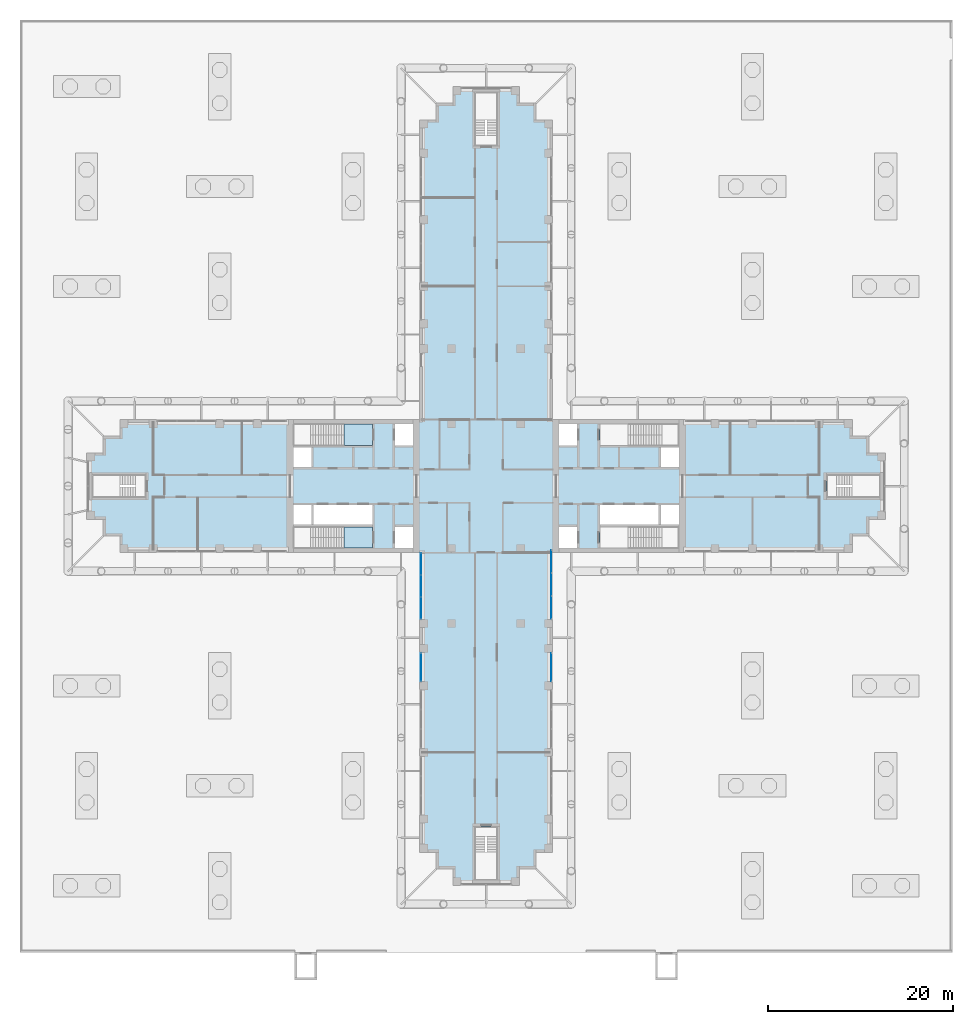
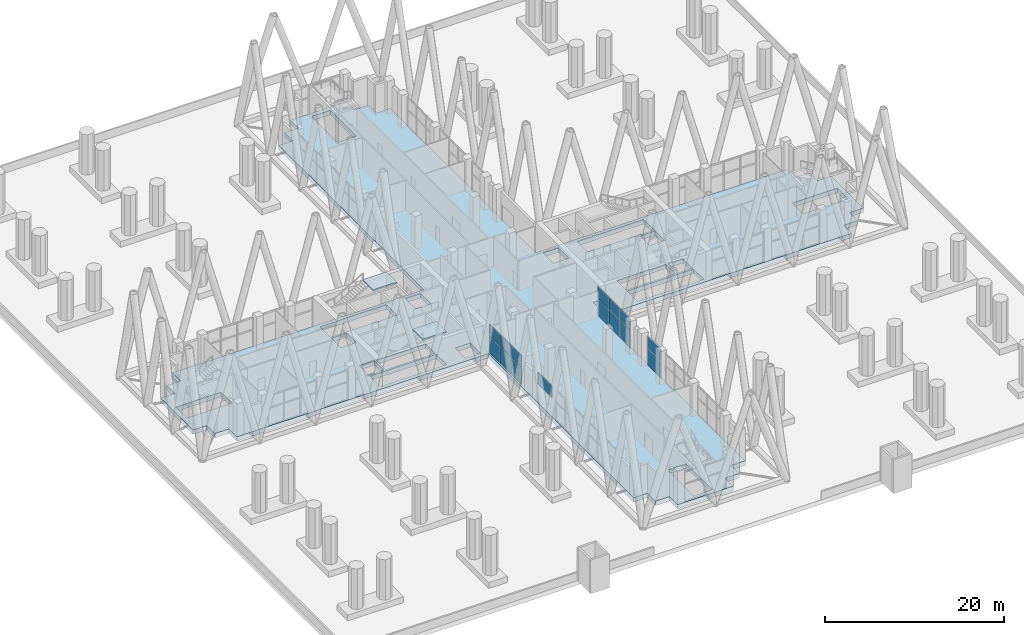
# One storey, part 14 of 31: 15 plates, 3 slabs, 6 elements without a shape of their own.
"""IFC4 building model written with IfcOpenShell, lengths in metres."""

from ifc_helpers import new_model, si_unit, direction, frame, origin, origin_2d, place, context, subcontext, project, spatial, polyline, rectangle, outline, extrude, material, layer, layer_set, type_object, element, aggregate, save


model = new_model("IFC4")

# Units and contexts
model_context = context("Model", 3, precision=1e-05, world=origin(), true_north=direction((0.0, 1.0)))
body_context = subcontext(model_context, "Body", "Model", "MODEL_VIEW")
ifc_project = project(units=[si_unit("LENGTHUNIT", "METRE"), si_unit("AREAUNIT", "SQUARE_METRE"), si_unit("VOLUMEUNIT", "CUBIC_METRE"), si_unit("PLANEANGLEUNIT", "RADIAN"), si_unit("MASSUNIT", "GRAM", prefix="KILO")], contexts=[model_context])

# Site, building, storey
site_placement = place(None, origin())
site = spatial("IfcSite", under=ifc_project, at=site_placement, CompositionType="ELEMENT")
building_placement = place(site_placement, origin())
building = spatial("IfcBuilding", under=site, at=building_placement, Name="Fustian Cross Tower", CompositionType="ELEMENT")
storey_placement = place(building_placement, frame((0.0, 0.0, 7.199951171875)))
storey = spatial("IfcBuildingStorey", under=building, at=storey_placement, Name="L01", CompositionType="ELEMENT", Elevation=7.199951171875)

# Curtain wall, plates
ifc_material_1 = material(Name="Glass", Category="glass")
curtain_wall_type = type_object("IfcCurtainWallType", Name="CW4 CURTAIN WALL", PredefinedType="NOTDEFINED", material=ifc_material_1)
curtain_wall_1_placement = place(storey_placement, origin())
curtain_wall_1 = element("IfcCurtainWall", 1, at=curtain_wall_1_placement, inside=storey, type_object=curtain_wall_type, Name="Curtain wall CW4", PredefinedType="NOTDEFINED")
ifc_material_2 = material(Name="Glass", Category="glass")
ifc_layer_1 = layer(ifc_material_2, 0.028076171875)
ifc_layer_set_1 = layer_set([ifc_layer_1], Name="Glass")
plate_type = type_object("IfcPlateType", Name="CW4 PANEL IGU28", PredefinedType="CURTAIN_PANEL", material=ifc_layer_set_1)
plate_1_placement = place(storey_placement, frame((-7.050048828125, -8.4150390625, 0.06005859375), z_axis=(0.0, 0.0, 1.0), x_axis=(0.0, -1.0, 0.0)))
plate_1 = element("IfcPlate", 2, at=plate_1_placement, type_object=plate_type, Name="CW4 panel 1.1", PredefinedType="CURTAIN_PANEL", context=body_context, shape_type="SweptSolid", body=[
    extrude(rectangle(XDim=2.31005859375, YDim=0.028076171875, at=origin_2d()), origin(), (0.0, 0.0, 1.0), 2.31005859375),
])
plate_2_placement = place(storey_placement, frame((-7.050048828125, -8.4150390625, 2.43017578125), z_axis=(0.0, 0.0, 1.0), x_axis=(0.0, -1.0, 0.0)))
plate_2 = element("IfcPlate", 3, at=plate_2_placement, type_object=plate_type, Name="CW4 panel 1.2", PredefinedType="CURTAIN_PANEL", context=body_context, shape_type="SweptSolid", body=[
    extrude(rectangle(XDim=2.31005859375, YDim=0.028076171875, at=origin_2d()), origin(), (0.0, 0.0, 1.0), 1.5849609375),
])
plate_3_placement = place(storey_placement, frame((-7.050048828125, -10.800048828125, 0.06005859375), z_axis=(0.0, 0.0, 1.0), x_axis=(0.0, -1.0, 0.0)))
plate_3 = element("IfcPlate", 4, at=plate_3_placement, type_object=plate_type, Name="CW4 panel 2.1", PredefinedType="CURTAIN_PANEL", context=body_context, shape_type="SweptSolid", body=[
    extrude(rectangle(XDim=2.340087890625, YDim=0.028076171875, at=origin_2d()), origin(), (0.0, 0.0, 1.0), 2.31005859375),
])
plate_4_placement = place(storey_placement, frame((-7.050048828125, -10.800048828125, 2.43017578125), z_axis=(0.0, 0.0, 1.0), x_axis=(0.0, -1.0, 0.0)))
plate_4 = element("IfcPlate", 5, at=plate_4_placement, type_object=plate_type, Name="CW4 panel 2.2", PredefinedType="CURTAIN_PANEL", context=body_context, shape_type="SweptSolid", body=[
    extrude(rectangle(XDim=2.340087890625, YDim=0.028076171875, at=origin_2d()), origin(), (0.0, 0.0, 1.0), 1.5849609375),
])
plate_5_placement = place(storey_placement, frame((-7.050048828125, -13.18505859375, 0.06005859375), z_axis=(0.0, 0.0, 1.0), x_axis=(0.0, -1.0, 0.0)))
plate_5 = element("IfcPlate", 6, at=plate_5_placement, type_object=plate_type, Name="CW4 panel 3.1", PredefinedType="CURTAIN_PANEL", context=body_context, shape_type="SweptSolid", body=[
    extrude(rectangle(XDim=2.31005859375, YDim=0.028076171875, at=origin_2d()), origin(), (0.0, 0.0, 1.0), 2.31005859375),
])
plate_6_placement = place(storey_placement, frame((-7.050048828125, -13.18505859375, 2.43017578125), z_axis=(0.0, 0.0, 1.0), x_axis=(0.0, -1.0, 0.0)))
plate_6 = element("IfcPlate", 7, at=plate_6_placement, type_object=plate_type, Name="CW4 panel 3.2", PredefinedType="CURTAIN_PANEL", context=body_context, shape_type="SweptSolid", body=[
    extrude(rectangle(XDim=2.31005859375, YDim=0.028076171875, at=origin_2d()), origin(), (0.0, 0.0, 1.0), 1.5849609375),
])
aggregate(curtain_wall_1, [plate_1, plate_2, plate_3, plate_4, plate_5, plate_6])

# Curtain wall, plate
curtain_wall_2_placement = place(storey_placement, origin())
curtain_wall_2 = element("IfcCurtainWall", 8, at=curtain_wall_2_placement, inside=storey, type_object=curtain_wall_type, Name="Curtain wall CW4", PredefinedType="NOTDEFINED")
plate_7_placement = place(storey_placement, frame((-7.050048828125, -19.574951171875, 2.43017578125), z_axis=(0.0, 0.0, 1.0), x_axis=(0.0, -1.0, 0.0)))
plate_7 = element("IfcPlate", 9, at=plate_7_placement, type_object=plate_type, Name="CW4 panel 1.2", PredefinedType="CURTAIN_PANEL", context=body_context, shape_type="SweptSolid", body=[
    extrude(rectangle(XDim=3.030029296875, YDim=0.028076171875, at=origin_2d()), origin(), (0.0, 0.0, 1.0), 1.5849609375),
])
aggregate(curtain_wall_2, [plate_7])

# Curtain wall, plates
curtain_wall_3_placement = place(storey_placement, origin())
curtain_wall_3 = element("IfcCurtainWall", 10, at=curtain_wall_3_placement, inside=storey, type_object=curtain_wall_type, Name="Curtain wall CW4", PredefinedType="NOTDEFINED")
plate_8_placement = place(storey_placement, frame((7.050048828125, -19.574951171875, 0.06005859375), z_axis=(0.0, 0.0, 1.0), x_axis=(0.0, 1.0, 0.0)))
plate_8 = element("IfcPlate", 11, at=plate_8_placement, type_object=plate_type, Name="CW4 panel 1.1", PredefinedType="CURTAIN_PANEL", context=body_context, shape_type="SweptSolid", body=[
    extrude(rectangle(XDim=3.030029296875, YDim=0.028076171875, at=origin_2d()), origin(), (0.0, 0.0, 1.0), 2.31005859375),
])
plate_9_placement = place(storey_placement, frame((7.050048828125, -19.574951171875, 2.43017578125), z_axis=(0.0, 0.0, 1.0), x_axis=(0.0, 1.0, 0.0)))
plate_9 = element("IfcPlate", 12, at=plate_9_placement, type_object=plate_type, Name="CW4 panel 1.2", PredefinedType="CURTAIN_PANEL", context=body_context, shape_type="SweptSolid", body=[
    extrude(rectangle(XDim=3.030029296875, YDim=0.028076171875, at=origin_2d()), origin(), (0.0, 0.0, 1.0), 1.5849609375),
])
aggregate(curtain_wall_3, [plate_8, plate_9])

curtain_wall_4_placement = place(storey_placement, origin())
curtain_wall_4 = element("IfcCurtainWall", 13, at=curtain_wall_4_placement, inside=storey, type_object=curtain_wall_type, Name="Curtain wall CW4", PredefinedType="NOTDEFINED")
plate_10_placement = place(storey_placement, frame((7.050048828125, -13.135009765625, 0.06005859375), z_axis=(0.0, 0.0, 1.0), x_axis=(0.0, 1.0, 0.0)))
plate_10 = element("IfcPlate", 14, at=plate_10_placement, type_object=plate_type, Name="CW4 panel 1.1", PredefinedType="CURTAIN_PANEL", context=body_context, shape_type="SweptSolid", body=[
    extrude(rectangle(XDim=2.409912109375, YDim=0.028076171875, at=origin_2d()), origin(), (0.0, 0.0, 1.0), 2.31005859375),
])
plate_11_placement = place(storey_placement, frame((7.050048828125, -13.135009765625, 2.43017578125), z_axis=(0.0, 0.0, 1.0), x_axis=(0.0, 1.0, 0.0)))
plate_11 = element("IfcPlate", 15, at=plate_11_placement, type_object=plate_type, Name="CW4 panel 1.2", PredefinedType="CURTAIN_PANEL", context=body_context, shape_type="SweptSolid", body=[
    extrude(rectangle(XDim=2.409912109375, YDim=0.028076171875, at=origin_2d()), origin(), (0.0, 0.0, 1.0), 1.5849609375),
])
plate_12_placement = place(storey_placement, frame((7.050048828125, -10.64990234375, 0.06005859375), z_axis=(0.0, 0.0, 1.0), x_axis=(0.0, 1.0, 0.0)))
plate_12 = element("IfcPlate", 16, at=plate_12_placement, type_object=plate_type, Name="CW4 panel 2.1", PredefinedType="CURTAIN_PANEL", context=body_context, shape_type="SweptSolid", body=[
    extrude(rectangle(XDim=2.43994140625, YDim=0.028076171875, at=origin_2d()), origin(), (0.0, 0.0, 1.0), 2.31005859375),
])
plate_13_placement = place(storey_placement, frame((7.050048828125, -10.64990234375, 2.43017578125), z_axis=(0.0, 0.0, 1.0), x_axis=(0.0, 1.0, 0.0)))
plate_13 = element("IfcPlate", 17, at=plate_13_placement, type_object=plate_type, Name="CW4 panel 2.2", PredefinedType="CURTAIN_PANEL", context=body_context, shape_type="SweptSolid", body=[
    extrude(rectangle(XDim=2.43994140625, YDim=0.028076171875, at=origin_2d()), origin(), (0.0, 0.0, 1.0), 1.5849609375),
])
plate_14_placement = place(storey_placement, frame((7.050048828125, -8.1650390625, 0.06005859375), z_axis=(0.0, 0.0, 1.0), x_axis=(0.0, 1.0, 0.0)))
plate_14 = element("IfcPlate", 18, at=plate_14_placement, type_object=plate_type, Name="CW4 panel 3.1", PredefinedType="CURTAIN_PANEL", context=body_context, shape_type="SweptSolid", body=[
    extrude(rectangle(XDim=2.409912109375, YDim=0.028076171875, at=origin_2d()), origin(), (0.0, 0.0, 1.0), 2.31005859375),
])
plate_15_placement = place(storey_placement, frame((7.050048828125, -8.1650390625, 2.43017578125), z_axis=(0.0, 0.0, 1.0), x_axis=(0.0, 1.0, 0.0)))
plate_15 = element("IfcPlate", 19, at=plate_15_placement, type_object=plate_type, Name="CW4 panel 3.2", PredefinedType="CURTAIN_PANEL", context=body_context, shape_type="SweptSolid", body=[
    extrude(rectangle(XDim=2.409912109375, YDim=0.028076171875, at=origin_2d()), origin(), (0.0, 0.0, 1.0), 1.5849609375),
])
aggregate(curtain_wall_4, [plate_10, plate_11, plate_12, plate_13, plate_14, plate_15])

# Slab
ifc_material_3 = material(Name="Concrete C40/50", Category="concrete")
ifc_layer_2 = layer(ifc_material_3, 0.60009765625)
ifc_layer_set_2 = layer_set([ifc_layer_2], Name="Concrete C40/50")
slab_type_1 = type_object("IfcSlabType", Name="FLAT SLAB 600", PredefinedType="FLOOR", material=ifc_layer_set_2)
slab_1_placement = place(storey_placement, frame((0.0, 0.0, -0.599853515625)))
element("IfcSlab", 20, at=slab_1_placement, inside=storey, type_object=slab_type_1, Name="FLOOR SLAB L01-1", PredefinedType="FLOOR", context=body_context, shape_type="SweptSolid", body=[
    extrude(outline(polyline([(-43.199951171875, 3.60009765625), (-41.39990234375, 3.60009765625), (-41.39990234375, 5.39990234375), (-39.60009765625, 5.39990234375), (-39.60009765625, 7.199951171875), (-7.199951171875, 7.199951171875), (-7.199951171875, 39.60009765625), (-5.39990234375, 39.60009765625), (-5.39990234375, 41.39990234375), (-3.60009765625, 41.39990234375), (-3.60009765625, 43.199951171875), (3.60009765625, 43.199951171875), (3.60009765625, 41.39990234375), (5.39990234375, 41.39990234375), (5.39990234375, 39.60009765625), (7.199951171875, 39.60009765625), (7.199951171875, 7.199951171875), (39.60009765625, 7.199951171875), (39.60009765625, 5.39990234375), (41.39990234375, 5.39990234375), (41.39990234375, 3.60009765625), (43.199951171875, 3.60009765625), (43.199951171875, -3.60009765625), (41.39990234375, -3.60009765625), (41.39990234375, -5.39990234375), (39.60009765625, -5.39990234375), (39.60009765625, -7.199951171875), (7.199951171875, -7.199951171875), (7.199951171875, -39.60009765625), (5.39990234375, -39.60009765625), (5.39990234375, -41.39990234375), (3.60009765625, -41.39990234375), (3.60009765625, -43.199951171875), (-3.60009765625, -43.199951171875), (-3.60009765625, -41.39990234375), (-5.39990234375, -41.39990234375), (-5.39990234375, -39.60009765625), (-7.199951171875, -39.60009765625), (-7.199951171875, -7.199951171875), (-39.60009765625, -7.199951171875), (-39.60009765625, -5.39990234375), (-41.39990234375, -5.39990234375), (-41.39990234375, -3.60009765625), (-43.199951171875, -3.60009765625), (-43.199951171875, 3.60009765625)]), holes=[polyline([(18.89990234375, -2.050048828125), (18.89990234375, -4.14990234375), (20.85009765625, -4.14990234375), (20.85009765625, -2.050048828125), (18.89990234375, -2.050048828125)]), polyline([(20.85009765625, 4.14990234375), (18.89990234375, 4.14990234375), (18.89990234375, 2.050048828125), (20.85009765625, 2.050048828125), (20.85009765625, 4.14990234375)]), polyline([(9.85009765625, 4.39990234375), (9.85009765625, 6.699951171875), (7.89990234375, 6.699951171875), (7.89990234375, 4.39990234375), (9.85009765625, 4.39990234375)]), polyline([(7.89990234375, -6.699951171875), (9.85009765625, -6.699951171875), (9.85009765625, -4.39990234375), (7.89990234375, -4.39990234375), (7.89990234375, -6.699951171875)]), polyline([(-20.85009765625, -2.050048828125), (-20.85009765625, -4.14990234375), (-18.89990234375, -4.14990234375), (-18.89990234375, -2.050048828125), (-20.85009765625, -2.050048828125)]), polyline([(-18.89990234375, 4.14990234375), (-20.85009765625, 4.14990234375), (-20.85009765625, 2.050048828125), (-18.89990234375, 2.050048828125), (-18.89990234375, 4.14990234375)]), polyline([(-7.89990234375, 4.39990234375), (-7.89990234375, 6.699951171875), (-9.85009765625, 6.699951171875), (-9.85009765625, 4.39990234375), (-7.89990234375, 4.39990234375)]), polyline([(-9.85009765625, -6.699951171875), (-7.89990234375, -6.699951171875), (-7.89990234375, -4.39990234375), (-9.85009765625, -4.39990234375), (-9.85009765625, -6.699951171875)]), polyline([(12.300048828125, -2.050048828125), (12.300048828125, -4.14990234375), (18.64990234375, -4.14990234375), (18.64990234375, -2.050048828125), (12.300048828125, -2.050048828125)]), polyline([(-12.300048828125, -2.050048828125), (-18.64990234375, -2.050048828125), (-18.64990234375, -4.14990234375), (-12.300048828125, -4.14990234375), (-12.300048828125, -2.050048828125)]), polyline([(20.85009765625, 4.39990234375), (20.85009765625, 6.699951171875), (12.300048828125, 6.699951171875), (12.300048828125, 4.39990234375), (20.85009765625, 4.39990234375)]), polyline([(12.300048828125, -6.699951171875), (20.85009765625, -6.699951171875), (20.85009765625, -4.39990234375), (12.300048828125, -4.39990234375), (12.300048828125, -6.699951171875)]), polyline([(-20.85009765625, 6.699951171875), (-20.85009765625, 4.39990234375), (-12.300048828125, 4.39990234375), (-12.300048828125, 6.699951171875), (-20.85009765625, 6.699951171875)]), polyline([(-12.300048828125, -4.39990234375), (-20.85009765625, -4.39990234375), (-20.85009765625, -6.699951171875), (-12.300048828125, -6.699951171875), (-12.300048828125, -4.39990234375)]), polyline([(1.199951171875, 36.800048828125), (1.199951171875, 42.60009765625), (-1.199951171875, 42.60009765625), (-1.199951171875, 36.800048828125), (1.199951171875, 36.800048828125)]), polyline([(-1.199951171875, -42.60009765625), (1.199951171875, -42.60009765625), (1.199951171875, -36.800048828125), (-1.199951171875, -36.800048828125), (-1.199951171875, -42.60009765625)]), polyline([(36.800048828125, 1.199951171875), (36.800048828125, -1.199951171875), (42.60009765625, -1.199951171875), (42.60009765625, 1.199951171875), (36.800048828125, 1.199951171875)]), polyline([(-36.800048828125, 1.199951171875), (-42.60009765625, 1.199951171875), (-42.60009765625, -1.199951171875), (-36.800048828125, -1.199951171875), (-36.800048828125, 1.199951171875)])]), origin(), (0.0, 0.0, 1.0), 0.599853515625),
])

# Stair, slab
ifc_material_4 = material(Name="Concrete C50/60", Category="concrete")
stair_type = type_object("IfcStairType", Name="STAIR 1150 HALF TURN", PredefinedType="HALF_TURN_STAIR", material=ifc_material_4)
stair_1_placement = place(storey_placement, origin())
stair_1 = element("IfcStair", 21, at=stair_1_placement, inside=storey, type_object=stair_type, Name="Stair ST3", PredefinedType="HALF_TURN_STAIR")
ifc_material_5 = material(Name="Concrete C50/60", Category="concrete")
ifc_layer_3 = layer(ifc_material_5, 0.199951171875)
ifc_layer_set_3 = layer_set([ifc_layer_3], Name="Concrete C50/60")
slab_type_2 = type_object("IfcSlabType", Name="STAIR LANDING", PredefinedType="LANDING", material=ifc_layer_set_3)
slab_2_placement = place(storey_placement, frame((0.0, 0.0, 4.300048828125)))
slab_2 = element("IfcSlab", 22, at=slab_2_placement, type_object=slab_type_2, Name="ST3 landing 2", PredefinedType="LANDING", context=body_context, shape_type="SweptSolid", body=[
    extrude(outline(polyline([(-12.300048828125, 4.39990234375), (-15.35009765625, 4.39990234375), (-15.35009765625, 6.699951171875), (-12.300048828125, 6.699951171875), (-12.300048828125, 4.39990234375)])), origin(), (0.0, 0.0, 1.0), 0.199951171875),
])
aggregate(stair_1, [slab_2])

stair_2_placement = place(storey_placement, origin())
stair_2 = element("IfcStair", 23, at=stair_2_placement, inside=storey, type_object=stair_type, Name="Stair ST4", PredefinedType="HALF_TURN_STAIR")
slab_3_placement = place(storey_placement, frame((0.0, 0.0, 4.300048828125)))
slab_3 = element("IfcSlab", 24, at=slab_3_placement, type_object=slab_type_2, Name="ST4 landing 2", PredefinedType="LANDING", context=body_context, shape_type="SweptSolid", body=[
    extrude(outline(polyline([(-12.300048828125, -4.39990234375), (-15.35009765625, -4.39990234375), (-15.35009765625, -6.699951171875), (-12.300048828125, -6.699951171875), (-12.300048828125, -4.39990234375)])), origin(), (0.0, 0.0, 1.0), 0.199951171875),
])
aggregate(stair_2, [slab_3])

save(model, "model.ifc")
